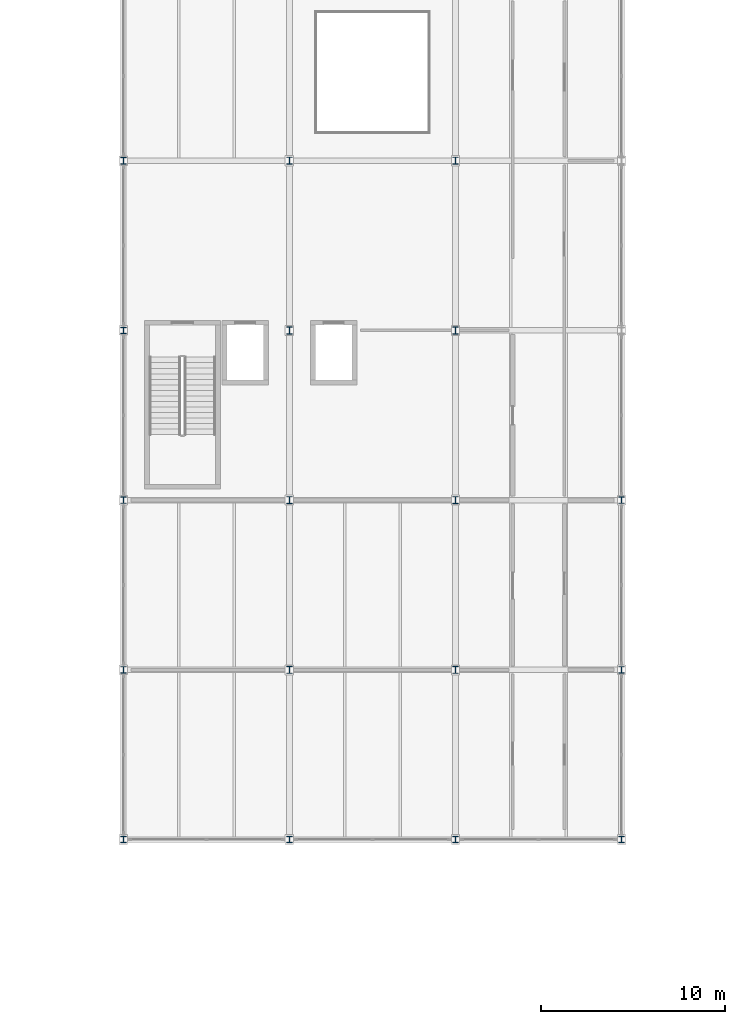
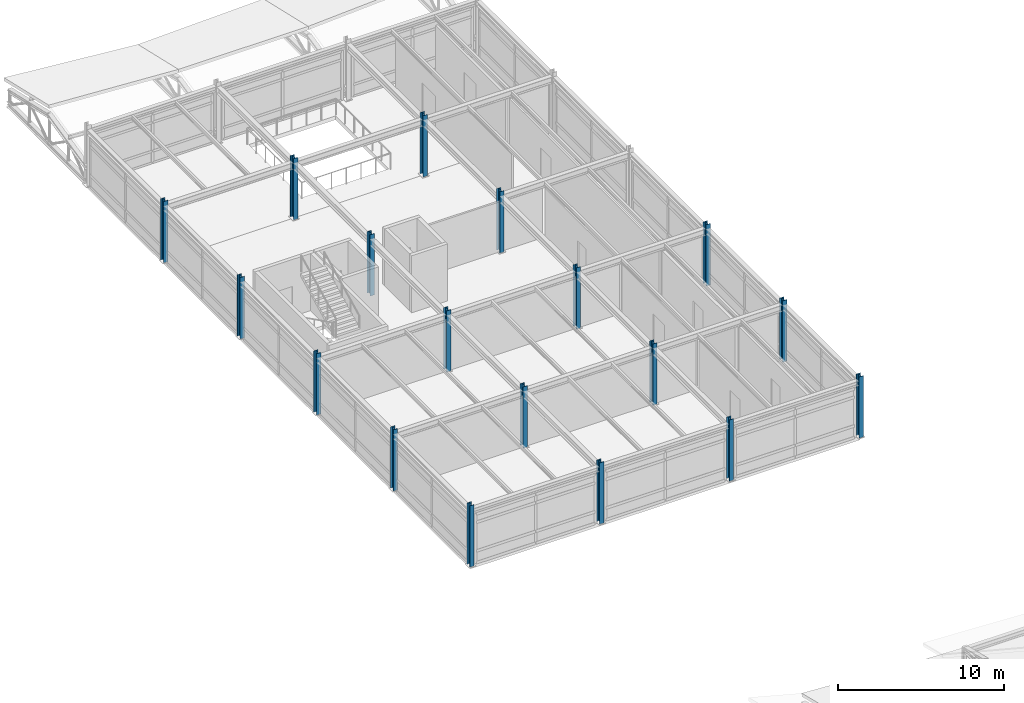
# One storey, part 2 of 55: 18 columns.
"""IFC4 building model written with IfcOpenShell, lengths in metres."""

from ifc_helpers import new_model, si_unit, direction, frame, origin, origin_2d, place, context, subcontext, project, spatial, i_section, extrude, material, material_profile, profile_set, type_object, element, save


model = new_model("IFC4")

# Units and contexts
model_context = context("Model", 3, precision=1e-05, world=origin(), true_north=direction((0.0, 1.0)))
body_context = subcontext(model_context, "Body", "Model", "MODEL_VIEW")
ifc_project = project(units=[si_unit("LENGTHUNIT", "METRE"), si_unit("AREAUNIT", "SQUARE_METRE"), si_unit("VOLUMEUNIT", "CUBIC_METRE"), si_unit("PLANEANGLEUNIT", "RADIAN"), si_unit("MASSUNIT", "GRAM", prefix="KILO")], contexts=[model_context])

# Site, building, storey
site_placement = place(None, origin())
site = spatial("IfcSite", under=ifc_project, at=site_placement, CompositionType="ELEMENT")
building_placement = place(site_placement, origin())
building = spatial("IfcBuilding", under=site, at=building_placement, Name="Bozkorgan Art Gallery", CompositionType="ELEMENT")
storey_placement = place(building_placement, frame((0.0, 0.0, 15.0)))
storey = spatial("IfcBuildingStorey", under=building, at=storey_placement, Name="L03", CompositionType="ELEMENT", Elevation=15.0)

# Columns
ifc_material = material(Name="Steel S355J2", Category="steel")
ifc_material_profile_1 = material_profile(ifc_material, i_section(OverallWidth=0.300048828125, OverallDepth=0.389892578125, WebThickness=0.010986328125, FlangeThickness=0.01904296875, FilletRadius=0.027099609375, at=origin_2d()), Name="HEA 400")
ifc_profile_set_1 = profile_set([ifc_material_profile_1], Name="Steel S355J2")
column_type_1 = type_object("IfcColumnType", Name="COLUMN-C-03", PredefinedType="COLUMN", material=ifc_profile_set_1)
for number, where, z_axis, x_axis, name in (
    (1, (83.0, 47.60009765625, 0.0), (0.0, 0.0, 1.0), (1.0, 0.0, 0.0), "V4 L03 column (83.0, 47.6)"),
    (2, (83.0, 56.800048828125, 0.0), (0.0, 0.0, 1.0), (1.0, 0.0, 0.0), "V4 L03 column (83.0, 56.8)"),
    (3, (83.0, 66.0, 0.0), (0.0, 0.0, 1.0), (1.0, 0.0, 0.0), "V4 L03 column (83.0, 66.0)"),
    (4, (83.0, 75.199951171875, 0.0), (0.0, 0.0, 1.0), (1.0, 0.0, 0.0), "V4 L03 column (83.0, 75.2)"),
    (5, (92.0, 47.60009765625, 0.0), (0.0, 0.0, 1.0), (1.0, 0.0, 0.0), "V4 L03 column (92.0, 47.6)"),
    (6, (92.0, 56.800048828125, 0.0), (0.0, 0.0, 1.0), (1.0, 0.0, 0.0), "V4 L03 column (92.0, 56.8)"),
    (7, (92.0, 66.0, 0.0), (0.0, 0.0, 1.0), (1.0, 0.0, 0.0), "V4 L03 column (92.0, 66.0)"),
    (8, (92.0, 75.199951171875, 0.0), (0.0, 0.0, 1.0), (1.0, 0.0, 0.0), "V4 L03 column (92.0, 75.2)"),
):
    element("IfcColumn", number, at=place(storey_placement, frame(where, z_axis=z_axis, x_axis=x_axis)), inside=storey, type_object=column_type_1, Name=name, PredefinedType="COLUMN", context=body_context, shape_type="SweptSolid", body=[
        extrude(i_section(OverallWidth=0.300048828125, OverallDepth=0.389892578125, WebThickness=0.010986328125, FlangeThickness=0.01904296875, FilletRadius=0.027099609375, at=origin_2d()), origin(), (0.0, 0.0, 1.0), 4.5),
    ])
ifc_material_profile_2 = material_profile(ifc_material, i_section(OverallWidth=0.300048828125, OverallDepth=0.360107421875, WebThickness=0.012451171875, FlangeThickness=0.0224609375, FilletRadius=0.027099609375, at=origin_2d()), Name="HEB 360")
ifc_profile_set_2 = profile_set([ifc_material_profile_2], Name="Steel S355J2")
column_type_2 = type_object("IfcColumnType", Name="COLUMN-C-25", PredefinedType="COLUMN", material=ifc_profile_set_2)
for number, where, z_axis, x_axis, name in (
    (9, (74.0, 38.39990234375, 0.0), (0.0, 0.0, 1.0), (1.0, 0.0, 0.0), "V4 L03 column (74.0, 38.4)"),
    (10, (74.0, 47.60009765625, 0.0), (0.0, 0.0, 1.0), (1.0, 0.0, 0.0), "V4 L03 column (74.0, 47.6)"),
    (11, (74.0, 56.800048828125, 0.0), (0.0, 0.0, 1.0), (1.0, 0.0, 0.0), "V4 L03 column (74.0, 56.8)"),
    (12, (74.0, 66.0, 0.0), (0.0, 0.0, 1.0), (1.0, 0.0, 0.0), "V4 L03 column (74.0, 66.0)"),
    (13, (74.0, 75.199951171875, 0.0), (0.0, 0.0, 1.0), (1.0, 0.0, 0.0), "V4 L03 column (74.0, 75.2)"),
    (14, (83.0, 38.39990234375, 0.0), (0.0, 0.0, 1.0), (1.0, 0.0, 0.0), "V4 L03 column (83.0, 38.4)"),
    (15, (92.0, 38.39990234375, 0.0), (0.0, 0.0, 1.0), (1.0, 0.0, 0.0), "V4 L03 column (92.0, 38.4)"),
    (16, (101.0, 38.39990234375, 0.0), (0.0, 0.0, 1.0), (1.0, 0.0, 0.0), "V4 L03 column (101.0, 38.4)"),
    (17, (101.0, 47.60009765625, 0.0), (0.0, 0.0, 1.0), (1.0, 0.0, 0.0), "V4 L03 column (101.0, 47.6)"),
    (18, (101.0, 56.800048828125, 0.0), (0.0, 0.0, 1.0), (1.0, 0.0, 0.0), "V4 L03 column (101.0, 56.8)"),
):
    element("IfcColumn", number, at=place(storey_placement, frame(where, z_axis=z_axis, x_axis=x_axis)), inside=storey, type_object=column_type_2, Name=name, PredefinedType="COLUMN", context=body_context, shape_type="SweptSolid", body=[
        extrude(i_section(OverallWidth=0.300048828125, OverallDepth=0.360107421875, WebThickness=0.012451171875, FlangeThickness=0.0224609375, FilletRadius=0.027099609375, at=origin_2d()), origin(), (0.0, 0.0, 1.0), 4.5),
    ])

save(model, "model.ifc")
